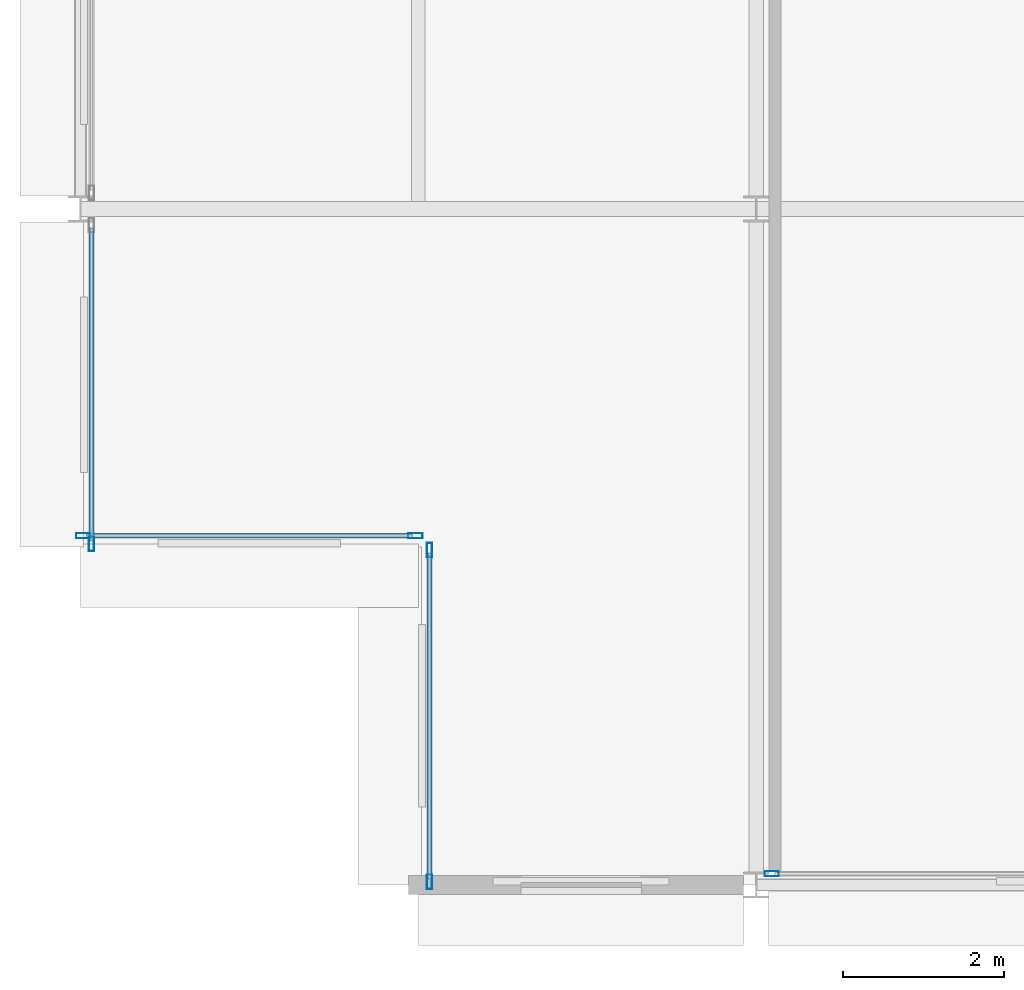
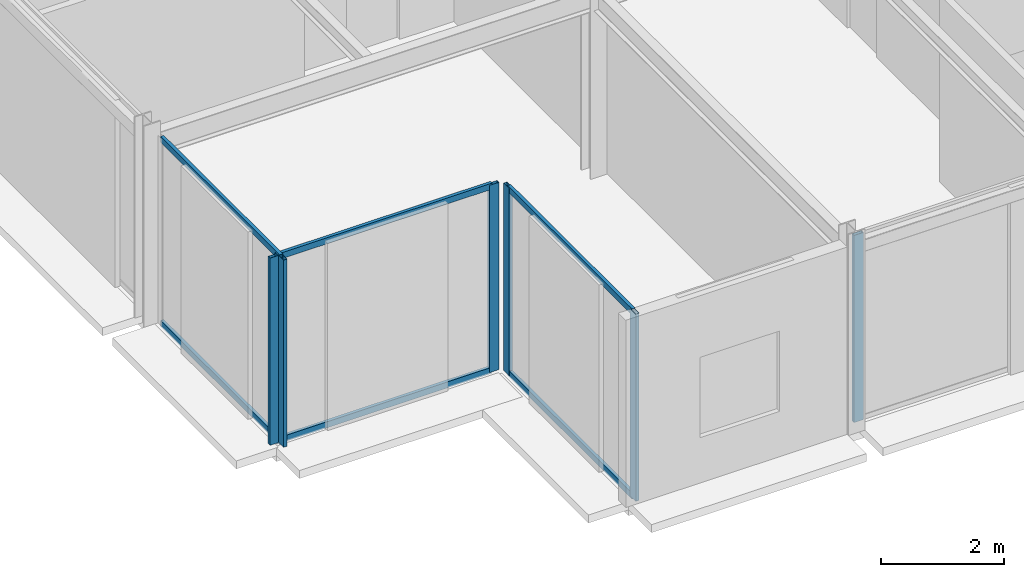
# One storey, part 3 of 25: 12 members, 4 elements without a shape of their own.
"""IFC4 building model written with IfcOpenShell, lengths in metres."""

from ifc_helpers import new_model, si_unit, direction, frame, origin, origin_2d, place, context, subcontext, project, spatial, hollow_rectangle, extrude, material, layer, layer_set, material_profile, profile_set, type_object, element, aggregate, save


model = new_model("IFC4")

# Units and contexts
model_context = context("Model", 3, precision=1e-05, world=origin(), true_north=direction((0.0, 1.0)))
body_context = subcontext(model_context, "Body", "Model", "MODEL_VIEW")
ifc_project = project(units=[si_unit("LENGTHUNIT", "METRE"), si_unit("AREAUNIT", "SQUARE_METRE"), si_unit("VOLUMEUNIT", "CUBIC_METRE"), si_unit("PLANEANGLEUNIT", "RADIAN"), si_unit("MASSUNIT", "GRAM", prefix="KILO")], contexts=[model_context])

# Site, building, storey
site_placement = place(None, origin())
site = spatial("IfcSite", under=ifc_project, at=site_placement, CompositionType="ELEMENT")
building_placement = place(site_placement, origin())
building = spatial("IfcBuilding", under=site, at=building_placement, Name="Nerrivon Quay Data Exchange", CompositionType="ELEMENT")
storey_placement = place(building_placement, frame((0.0, 0.0, 302.199951171875)))
storey = spatial("IfcBuildingStorey", under=building, at=storey_placement, Name="L72", CompositionType="ELEMENT", Elevation=302.199951171875)

# Curtain wall, member
ifc_material = material(Name="Anodised aluminium 6063-T6", Category="aluminium")
ifc_layer = layer(ifc_material, 0.195068359375)
ifc_layer_set = layer_set([ifc_layer], Name="Anodised aluminium 6063-T6")
curtain_wall_type = type_object("IfcCurtainWallType", Name="CW-SYS-06", PredefinedType="NOTDEFINED", material=ifc_layer_set)
curtain_wall_1_placement = place(storey_placement, origin())
curtain_wall_1 = element("IfcCurtainWall", 1, at=curtain_wall_1_placement, inside=storey, type_object=curtain_wall_type, Name="L72 Unitised Curtain Wall 4", PredefinedType="NOTDEFINED")
ifc_material_profile_1 = material_profile(ifc_material, hollow_rectangle(XDim=0.06494140625, YDim=0.179931640625, WallThickness=0.00341796875, at=origin_2d()), Name="ALU-MULL-180x65")
ifc_profile_set_1 = profile_set([ifc_material_profile_1], Name="Anodised aluminium 6063-T6")
member_type_1 = type_object("IfcMemberType", Name="CWM-180x65", PredefinedType="MULLION", material=ifc_profile_set_1)
member_1_placement = place(storey_placement, frame((8.593017578125, 0.139892578125, 0.0), z_axis=(0.0, 0.0, 1.0), x_axis=(0.0, -1.0, 0.0)))
member_1 = element("IfcMember", 2, at=member_1_placement, type_object=member_type_1, Name="CW06 mullion 2", PredefinedType="MULLION", context=body_context, shape_type="SweptSolid", body=[
    extrude(hollow_rectangle(XDim=0.06494140625, YDim=0.179931640625, WallThickness=0.00341796875, at=origin_2d()), origin(), (0.0, 0.0, 1.0), 3.72509765625),
])
aggregate(curtain_wall_1, [member_1])

# Curtain wall, members
curtain_wall_2_placement = place(storey_placement, origin())
curtain_wall_2 = element("IfcCurtainWall", 3, at=curtain_wall_2_placement, inside=storey, type_object=curtain_wall_type, Name="L72 Unitised Curtain Wall 6", PredefinedType="NOTDEFINED")
member_2_placement = place(storey_placement, frame((4.340087890625, 0.03759765625, 0.0), z_axis=(0.0, 0.0, 1.0), x_axis=(-1.0, 0.0, 0.0)))
member_2 = element("IfcMember", 4, at=member_2_placement, type_object=member_type_1, Name="CW06 mullion 1", PredefinedType="MULLION", context=body_context, shape_type="SweptSolid", body=[
    extrude(hollow_rectangle(XDim=0.06494140625, YDim=0.179931640625, WallThickness=0.00341796875, at=origin_2d()), origin(), (0.0, 0.0, 1.0), 3.72509765625),
])
member_3_placement = place(storey_placement, frame((4.340087890625, 4.16259765625, 0.0), z_axis=(0.0, 0.0, 1.0), x_axis=(-1.0, 0.0, 0.0)))
member_3 = element("IfcMember", 5, at=member_3_placement, type_object=member_type_1, Name="CW06 mullion 2", PredefinedType="MULLION", context=body_context, shape_type="SweptSolid", body=[
    extrude(hollow_rectangle(XDim=0.06494140625, YDim=0.179931640625, WallThickness=0.00341796875, at=origin_2d()), origin(), (0.0, 0.0, 1.0), 3.72509765625),
])

curtain_wall_3_placement = place(storey_placement, origin())
curtain_wall_3 = element("IfcCurtainWall", 6, at=curtain_wall_3_placement, inside=storey, type_object=curtain_wall_type, Name="L72 Unitised Curtain Wall 7", PredefinedType="NOTDEFINED")
member_4_placement = place(storey_placement, frame((4.16259765625, 4.340087890625, 0.0), z_axis=(0.0, 0.0, 1.0), x_axis=(0.0, -1.0, 0.0)))
member_4 = element("IfcMember", 7, at=member_4_placement, type_object=member_type_1, Name="CW06 mullion 1", PredefinedType="MULLION", context=body_context, shape_type="SweptSolid", body=[
    extrude(hollow_rectangle(XDim=0.06494140625, YDim=0.179931640625, WallThickness=0.00341796875, at=origin_2d()), origin(), (0.0, 0.0, 1.0), 3.72509765625),
])
member_5_placement = place(storey_placement, frame((0.03759765625, 4.340087890625, 0.0), z_axis=(0.0, 0.0, 1.0), x_axis=(0.0, -1.0, 0.0)))
member_5 = element("IfcMember", 8, at=member_5_placement, type_object=member_type_1, Name="CW06 mullion 2", PredefinedType="MULLION", context=body_context, shape_type="SweptSolid", body=[
    extrude(hollow_rectangle(XDim=0.06494140625, YDim=0.179931640625, WallThickness=0.00341796875, at=origin_2d()), origin(), (0.0, 0.0, 1.0), 3.72509765625),
])

# Curtain wall, member
curtain_wall_4_placement = place(storey_placement, origin())
curtain_wall_4 = element("IfcCurtainWall", 9, at=curtain_wall_4_placement, inside=storey, type_object=curtain_wall_type, Name="L72 Unitised Curtain Wall 8", PredefinedType="NOTDEFINED")
member_6_placement = place(storey_placement, frame((0.139892578125, 4.237548828125, 0.0), z_axis=(0.0, 0.0, 1.0), x_axis=(-1.0, 0.0, 0.0)))
member_6 = element("IfcMember", 10, at=member_6_placement, type_object=member_type_1, Name="CW06 mullion 1", PredefinedType="MULLION", context=body_context, shape_type="SweptSolid", body=[
    extrude(hollow_rectangle(XDim=0.06494140625, YDim=0.179931640625, WallThickness=0.00341796875, at=origin_2d()), origin(), (0.0, 0.0, 1.0), 3.72509765625),
])

# Member
ifc_material_profile_2 = material_profile(ifc_material, hollow_rectangle(XDim=0.06005859375, YDim=0.1201171875, WallThickness=0.003173828125, at=origin_2d()), Name="ALU-TRAN-120x60")
ifc_profile_set_2 = profile_set([ifc_material_profile_2], Name="Anodised aluminium 6063-T6")
member_type_2 = type_object("IfcMemberType", Name="CWT-120x60", PredefinedType="USERDEFINED", material=ifc_profile_set_2)
member_7_placement = place(storey_placement, frame((4.340087890625, 0.074951171875, 0.032470703125), z_axis=(0.0, 1.0, 0.0), x_axis=(-1.0, 0.0, 0.0)))
member_7 = element("IfcMember", 11, at=member_7_placement, type_object=member_type_2, Name="CW06 transom 1.1", ObjectType="TRANSOM", PredefinedType="USERDEFINED", context=body_context, shape_type="SweptSolid", body=[
    extrude(hollow_rectangle(XDim=0.06005859375, YDim=0.1201171875, WallThickness=0.003173828125, at=origin_2d()), origin(), (0.0, 0.0, 1.0), 4.050048828125),
])

member_8_placement = place(storey_placement, frame((4.340087890625, 0.074951171875, 3.692626953125), z_axis=(0.0, 1.0, 0.0), x_axis=(-1.0, 0.0, 0.0)))
member_8 = element("IfcMember", 12, at=member_8_placement, type_object=member_type_2, Name="CW06 transom 1.2", ObjectType="TRANSOM", PredefinedType="USERDEFINED", context=body_context, shape_type="SweptSolid", body=[
    extrude(hollow_rectangle(XDim=0.06005859375, YDim=0.1201171875, WallThickness=0.003173828125, at=origin_2d()), origin(), (0.0, 0.0, 1.0), 4.050048828125),
])

aggregate(curtain_wall_2, [member_2, member_3, member_7, member_8])

member_9_placement = place(storey_placement, frame((4.125, 4.340087890625, 0.032470703125), z_axis=(-1.0, 0.0, 0.0), x_axis=(0.0, -1.0, 0.0)))
member_9 = element("IfcMember", 13, at=member_9_placement, type_object=member_type_2, Name="CW06 transom 1.1", ObjectType="TRANSOM", PredefinedType="USERDEFINED", context=body_context, shape_type="SweptSolid", body=[
    extrude(hollow_rectangle(XDim=0.06005859375, YDim=0.1201171875, WallThickness=0.003173828125, at=origin_2d()), origin(), (0.0, 0.0, 1.0), 4.050048828125),
])

member_10_placement = place(storey_placement, frame((4.125, 4.340087890625, 3.692626953125), z_axis=(-1.0, 0.0, 0.0), x_axis=(0.0, -1.0, 0.0)))
member_10 = element("IfcMember", 14, at=member_10_placement, type_object=member_type_2, Name="CW06 transom 1.2", ObjectType="TRANSOM", PredefinedType="USERDEFINED", context=body_context, shape_type="SweptSolid", body=[
    extrude(hollow_rectangle(XDim=0.06005859375, YDim=0.1201171875, WallThickness=0.003173828125, at=origin_2d()), origin(), (0.0, 0.0, 1.0), 4.050048828125),
])

aggregate(curtain_wall_3, [member_4, member_5, member_9, member_10])

member_11_placement = place(storey_placement, frame((0.139892578125, 4.27490234375, 0.032470703125), z_axis=(0.0, 1.0, 0.0), x_axis=(-1.0, 0.0, 0.0)))
member_11 = element("IfcMember", 15, at=member_11_placement, type_object=member_type_2, Name="CW06 transom 1.1", ObjectType="TRANSOM", PredefinedType="USERDEFINED", context=body_context, shape_type="SweptSolid", body=[
    extrude(hollow_rectangle(XDim=0.06005859375, YDim=0.1201171875, WallThickness=0.003173828125, at=origin_2d()), origin(), (0.0, 0.0, 1.0), 3.88671875),
])

member_12_placement = place(storey_placement, frame((0.139892578125, 4.27490234375, 3.692626953125), z_axis=(0.0, 1.0, 0.0), x_axis=(-1.0, 0.0, 0.0)))
member_12 = element("IfcMember", 16, at=member_12_placement, type_object=member_type_2, Name="CW06 transom 1.2", ObjectType="TRANSOM", PredefinedType="USERDEFINED", context=body_context, shape_type="SweptSolid", body=[
    extrude(hollow_rectangle(XDim=0.06005859375, YDim=0.1201171875, WallThickness=0.003173828125, at=origin_2d()), origin(), (0.0, 0.0, 1.0), 3.88671875),
])

aggregate(curtain_wall_4, [member_6, member_11, member_12])

save(model, "model.ifc")
